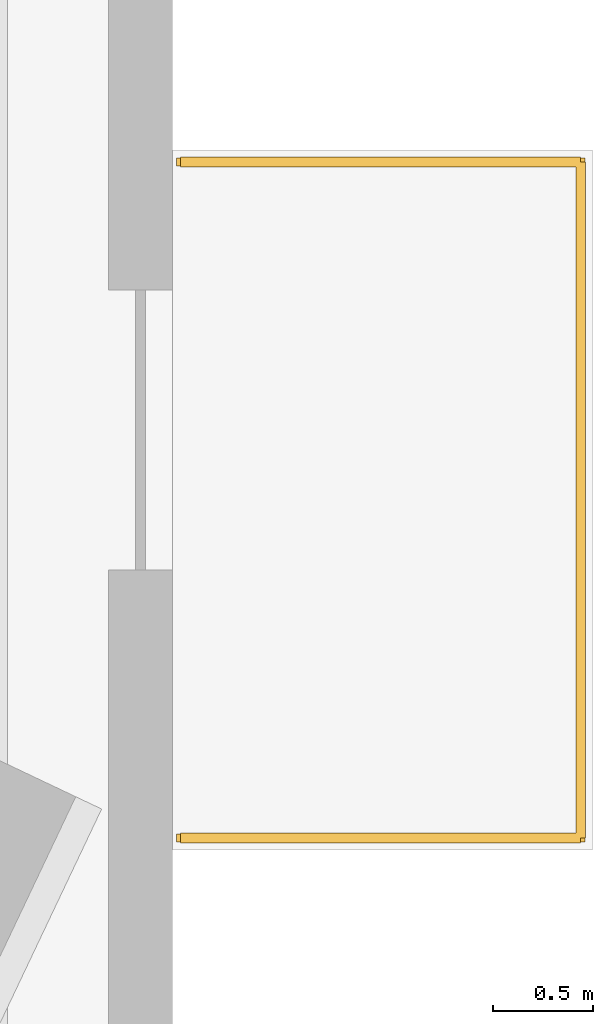
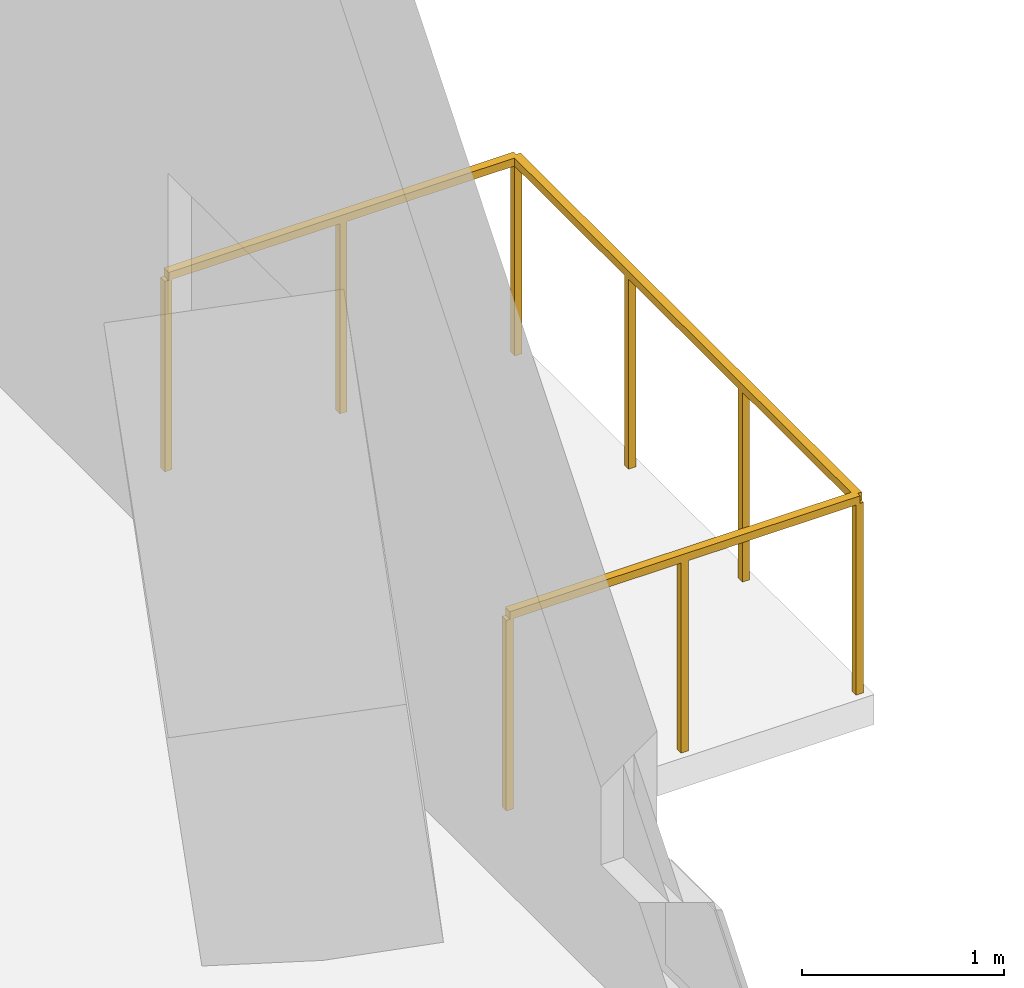
# One storey, part 10 of 10: 1 railing.
"""IFC4 building model written with IfcOpenShell, lengths in metres."""

from ifc_helpers import new_model, si_unit, direction, frame, origin, origin_2d, place, context, subcontext, project, spatial, rectangle, extrude, source, transform, mapped, material, type_object, element, save


model = new_model("IFC4")

# Units and contexts
model_context = context("Model", 3, precision=1e-05, world=origin(), true_north=direction((0.0, 1.0)))
body_context = subcontext(model_context, "Body", "Model", "MODEL_VIEW")
ifc_project = project(units=[si_unit("LENGTHUNIT", "METRE"), si_unit("AREAUNIT", "SQUARE_METRE"), si_unit("VOLUMEUNIT", "CUBIC_METRE"), si_unit("PLANEANGLEUNIT", "RADIAN"), si_unit("MASSUNIT", "GRAM", prefix="KILO")], contexts=[model_context])

# Site, building, storey
site_placement = place(None, origin())
site = spatial("IfcSite", under=ifc_project, at=site_placement, CompositionType="ELEMENT")
building_placement = place(site_placement, origin())
building = spatial("IfcBuilding", under=site, at=building_placement, Name="Vardaveli Station Tower", CompositionType="ELEMENT")
storey_placement = place(building_placement, frame((0.0, 0.0, 291.14990234375)))
storey = spatial("IfcBuildingStorey", under=building, at=storey_placement, Name="L74", CompositionType="ELEMENT", Elevation=291.14990234375)

# Railing
ifc_material = material(Name="Laminated glass and stainless steel balustrade", Category="steel")
railing_type = type_object("IfcRailingType", Name="RL-BAL-1200", PredefinedType="BALUSTRADE", material=ifc_material)
shared_shape = source(origin(), body_context, "Body", "SweptSolid", [
    extrude(rectangle(XDim=0.048095703125, YDim=0.048095703125, at=origin_2d()), frame((0.0, 0.0, 1.17578125), z_axis=(1.0, 0.0, 0.0), x_axis=(0.0, 1.0, 0.0)), (0.0, 0.0, 1.0), 2.0),
    extrude(rectangle(XDim=0.048095703125, YDim=0.048095703125, at=origin_2d()), frame((2.0, 0.0, 1.17578125), z_axis=(0.0, 1.0, 0.0), x_axis=(-1.0, 0.0, 0.0)), (0.0, 0.0, 1.0), 3.3798828125),
    extrude(rectangle(XDim=0.048095703125, YDim=0.048095703125, at=origin_2d()), frame((2.0, 3.3798828125, 1.17578125), z_axis=(-1.0, 0.0, 0.0), x_axis=(0.0, -1.0, 0.0)), (0.0, 0.0, 1.0), 2.0),
    extrude(rectangle(XDim=0.0419921875, YDim=0.0419921875, at=origin_2d()), origin(), (0.0, 0.0, 1.0), 1.15185546875),
    extrude(rectangle(XDim=0.0419921875, YDim=0.0419921875, at=origin_2d()), frame((1.0, 0.0, 0.0)), (0.0, 0.0, 1.0), 1.15185546875),
    extrude(rectangle(XDim=0.0419921875, YDim=0.0419921875, at=origin_2d()), frame((2.0, 0.0, 0.0)), (0.0, 0.0, 1.0), 1.15185546875),
    extrude(rectangle(XDim=0.0419921875, YDim=0.0419921875, at=origin_2d()), frame((2.0, 1.126708984375, 0.0)), (0.0, 0.0, 1.0), 1.15185546875),
    extrude(rectangle(XDim=0.0419921875, YDim=0.0419921875, at=origin_2d()), frame((2.0, 2.253173828125, 0.0)), (0.0, 0.0, 1.0), 1.15185546875),
    extrude(rectangle(XDim=0.0419921875, YDim=0.0419921875, at=origin_2d()), frame((2.0, 3.3798828125, 0.0)), (0.0, 0.0, 1.0), 1.15185546875),
    extrude(rectangle(XDim=0.0419921875, YDim=0.0419921875, at=origin_2d()), frame((1.0, 3.3798828125, 0.0)), (0.0, 0.0, 1.0), 1.15185546875),
    extrude(rectangle(XDim=0.0419921875, YDim=0.0419921875, at=origin_2d()), frame((0.0, 3.3798828125, 0.0)), (0.0, 0.0, 1.0), 1.15185546875),
])
railing_placement = place(storey_placement, frame((62.080078125, 16.5537109375, 0.0)))
element("IfcRailing", 1, at=railing_placement, inside=storey, type_object=railing_type, Name="RL-LOG-L74-02", PredefinedType="BALUSTRADE", context=body_context, shape_type="MappedRepresentation", body=[
    mapped(shared_shape, transform((0.0, 0.0, 0.0), scale=1.0)),
])

save(model, "model.ifc")
